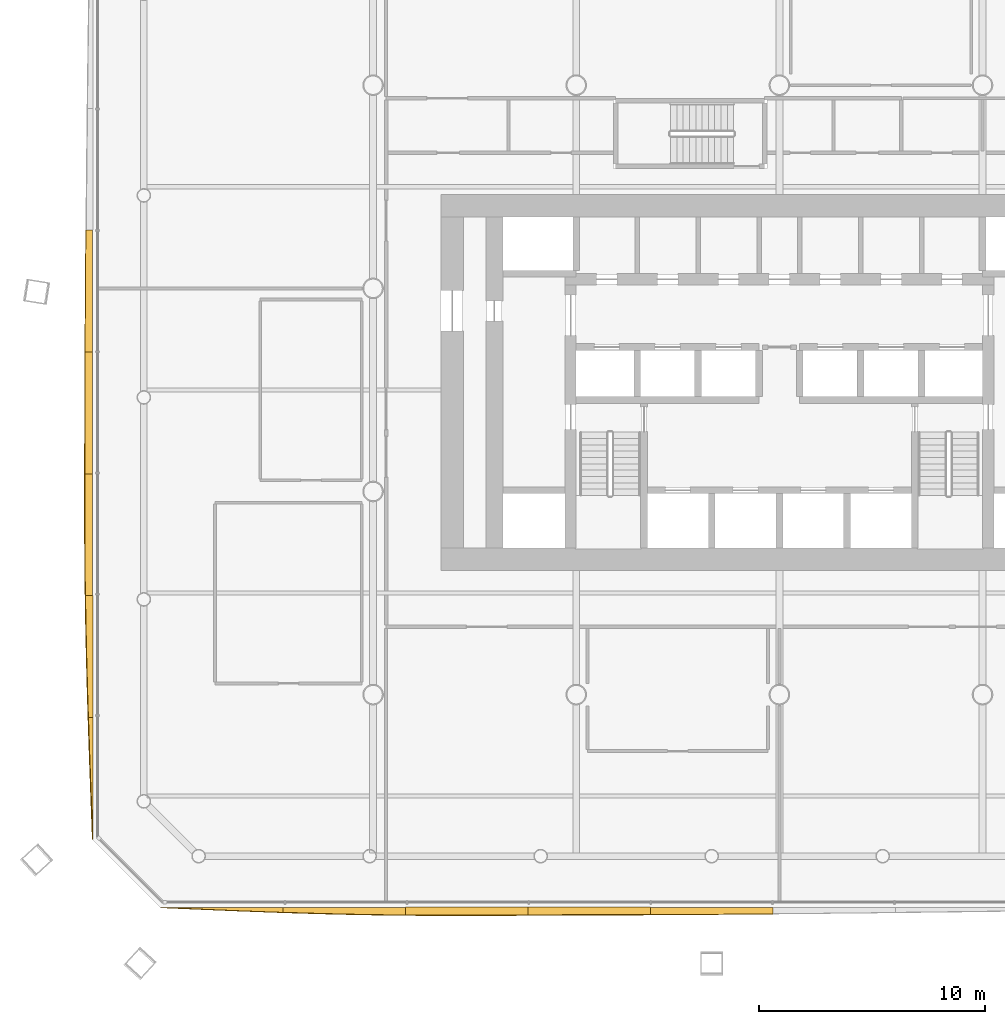
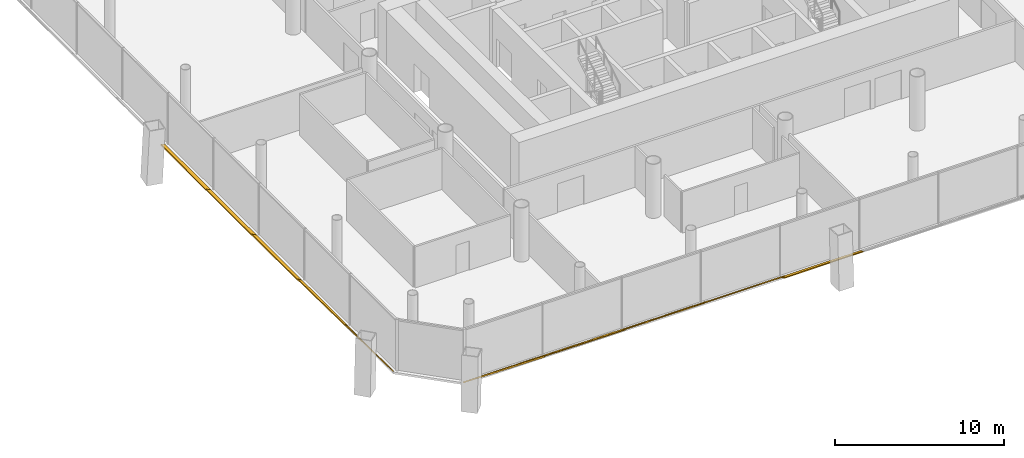
# One storey, part 18 of 22: 10 shading devices.
"""IFC4 building model written with IfcOpenShell, lengths in metres."""

import ifcopenshell
import ifcopenshell.guid

model = None  # the IFC model being written
_history = None  # IfcOwnerHistory: only IFC2X3 demands one
_inside = {}  # id of a spatial element -> (the spatial element, [elements in it])
_under = {}  # id of a project, library or spatial element -> (it, [spatial elements below it])
_declared = {}  # id of a project -> (the project, [libraries it declares])
_typed = {}  # id of a type object -> (the type object, [elements of that type])
_made_of = {}  # id of a material, layer set ... -> (it, [elements and type objects made of it])


def new_model(schema):
    """Start an empty IFC model of exactly this schema.

    Asked for "IFC4X3", IfcOpenShell would pick the latest addendum, in which some entities
    have other attributes; the version numbers below select the first issue.
    IFC2X3 requires an IfcOwnerHistory on every rooted entity: one is made here for all.
    """
    global model, _history
    if schema == "IFC4X3":
        model = ifcopenshell.file(schema_version=(4, 3, 0, 0))
    else:
        model = ifcopenshell.file(schema=schema)
    _inside.clear()
    _under.clear()
    _declared.clear()
    _typed.clear()
    _made_of.clear()
    _history = None
    if model.schema == "IFC2X3":
        org = make("IfcOrganization", Name="unknown")
        user = make(
            "IfcPersonAndOrganization",
            ThePerson=make("IfcPerson", FamilyName="unknown"),
            TheOrganization=org,
        )
        app = make(
            "IfcApplication",
            ApplicationDeveloper=org,
            Version="unknown",
            ApplicationFullName="unknown",
            ApplicationIdentifier="unknown",
        )
        _history = make(
            "IfcOwnerHistory",
            OwningUser=user,
            OwningApplication=app,
            ChangeAction="ADDED",
            CreationDate=0,
        )
    return model


def make(cls, **values):
    """One entity of the class cls with the attributes given. An attribute that is None is left unset."""
    return model.create_entity(
        cls, **{name: value for name, value in values.items() if value is not None}
    )


def rooted(cls, **values):
    """An entity with a GlobalId (a new one), such as an element, a storey or a relation."""
    return make(cls, GlobalId=ifcopenshell.guid.new(), OwnerHistory=_history, **values)


def si_unit(unit_type, name, prefix=None):
    """IfcSIUnit, for example si_unit("LENGTHUNIT", "METRE", prefix="MILLI")."""
    return make("IfcSIUnit", UnitType=unit_type, Prefix=prefix, Name=name)


def assignment(units):
    """IfcUnitAssignment: the units of a project."""
    return None if units is None else make("IfcUnitAssignment", Units=units)


def point(xyz):
    """IfcCartesianPoint."""
    return None if xyz is None else make("IfcCartesianPoint", Coordinates=xyz)


def direction(xyz):
    """IfcDirection."""
    return None if xyz is None else make("IfcDirection", DirectionRatios=xyz)


def frame(location, z_axis=None, x_axis=None):
    """IfcAxis2Placement3D, a coordinate frame: its origin and axes. An axis left out is left unset."""
    return make(
        "IfcAxis2Placement3D",
        Location=point(location),
        Axis=direction(z_axis),
        RefDirection=direction(x_axis),
    )


def origin():
    """The frame at (0, 0, 0) with its axes left unset."""
    return frame((0.0, 0.0, 0.0))


def place(relative_to, where):
    """IfcLocalPlacement: puts the frame where relative to a parent placement (None: the world)."""
    return make(
        "IfcLocalPlacement", PlacementRelTo=relative_to, RelativePlacement=where
    )


def context(
    kind, dimensions, precision=None, world=None, true_north=None, identifier=None
):
    """IfcGeometricRepresentationContext, for example the 3D "Model" context."""
    return make(
        "IfcGeometricRepresentationContext",
        ContextIdentifier=identifier,
        ContextType=kind,
        CoordinateSpaceDimension=dimensions,
        Precision=precision,
        WorldCoordinateSystem=world,
        TrueNorth=true_north,
    )


def subcontext(parent, identifier, kind, view, scale=None):
    """IfcGeometricRepresentationSubContext, for example "Body" below "Model"."""
    return make(
        "IfcGeometricRepresentationSubContext",
        ContextIdentifier=identifier,
        ContextType=kind,
        ParentContext=parent,
        TargetScale=scale,
        TargetView=view,
    )


def project(units=None, contexts=None):
    """IfcProject with its units and contexts."""
    return rooted(
        "IfcProject",
        Name="project",
        RepresentationContexts=contexts,
        UnitsInContext=assignment(units),
    )


def spatial(cls, under=None, at=None, **own):
    """A site, building, storey or space (cls), placed at a placement, below another one or the project."""
    s = rooted(cls, ObjectPlacement=at, **own)
    if under is not None:
        _under.setdefault(under.id(), (under, []))[1].append(s)
    return s


def polyline(points):
    """IfcPolyline through the points."""
    return make("IfcPolyline", Points=[point(p) for p in points])


def outline(outer, holes=None, kind="AREA"):
    """IfcArbitraryClosedProfileDef: a profile drawn as a closed curve; with holes, ...WithVoids."""
    if holes is None:
        return make("IfcArbitraryClosedProfileDef", ProfileType=kind, OuterCurve=outer)
    return make(
        "IfcArbitraryProfileDefWithVoids",
        ProfileType=kind,
        OuterCurve=outer,
        InnerCurves=holes,
    )


def extrude(swept, where, along, depth):
    """IfcExtrudedAreaSolid: the profile swept, set in the frame where, extruded along a direction by depth."""
    return make(
        "IfcExtrudedAreaSolid",
        SweptArea=swept,
        Position=where,
        ExtrudedDirection=direction(along),
        Depth=depth,
    )


def shape(context_of_items, identifier, shape_type, items):
    """IfcShapeRepresentation: the items that make up one representation, for example the "Body"."""
    return make(
        "IfcShapeRepresentation",
        ContextOfItems=context_of_items,
        RepresentationIdentifier=identifier,
        RepresentationType=shape_type,
        Items=items,
    )


def material(Name=None, Category=None):
    """IfcMaterial."""
    return make("IfcMaterial", Name=Name, Category=Category)


def layer(
    of_material, thickness, ventilated=None, Name=None, Category=None, Priority=None
):
    """IfcMaterialLayer: one layer of a wall or slab, of a material (None: an air gap)."""
    return make(
        "IfcMaterialLayer",
        Material=of_material,
        LayerThickness=thickness,
        IsVentilated=ventilated,
        Name=Name,
        Category=Category,
        Priority=Priority,
    )


def layer_set(layers, Name=None):
    """IfcMaterialLayerSet."""
    return make("IfcMaterialLayerSet", MaterialLayers=layers, LayerSetName=Name)


def made_of(thing, what):
    """Note that an element or type object is made of a material, layer set ...; save() writes the relation."""
    if what is not None:
        _made_of.setdefault(what.id(), (what, []))[1].append(thing)
    return thing


def type_object(cls, material=None, **own):
    """A type object (cls), such as IfcWallType, which elements share."""
    return made_of(rooted(cls, **own), material)


def element(
    cls,
    number,
    at=None,
    inside=None,
    cuts=None,
    type_object=None,
    material=None,
    context=None,
    identifier="Body",
    shape_type=None,
    held_by="IfcProductDefinitionShape",
    body=None,
    shapes=None,
    **own,
):
    """One element of the class cls, such as IfcWall. Its Tag is "e" and its number.

    at: its placement. inside: the storey or other place that contains it. cuts: it is an
    opening in that element (IfcRelVoidsElement). A single representation is given by context,
    identifier, shape_type and body (its items); several are given by shapes. held_by: the class
    of the entity that holds the representations. save() writes the other relations.
    """
    e = rooted(cls, Tag="e%d" % number, ObjectPlacement=at, **own)
    if body is not None:
        shapes = [shape(context, identifier, shape_type, body)]
    if shapes is not None:
        e.Representation = make(held_by, Representations=shapes)
    if inside is not None:
        _inside.setdefault(inside.id(), (inside, []))[1].append(e)
    if cuts is not None:
        rooted(
            "IfcRelVoidsElement", RelatingBuildingElement=cuts, RelatedOpeningElement=e
        )
    if type_object is not None:
        _typed.setdefault(type_object.id(), (type_object, []))[1].append(e)
    return made_of(e, material)


def aggregate(whole, parts):
    """IfcRelAggregates: a whole, such as a stair, and the parts it consists of."""
    return rooted("IfcRelAggregates", RelatingObject=whole, RelatedObjects=parts)


def save(model, path):
    """Write the relations noted so far, then the file.

    IfcRelAggregates (storeys below a building ...), IfcRelContainedInSpatialStructure (elements
    in a storey), IfcRelDefinesByType, IfcRelAssociatesMaterial and IfcRelDeclares: one each for
    every whole, place, type object, material and project.
    """
    for whole, parts in _under.values():
        aggregate(whole, parts)
    for where, things in _inside.values():
        rooted(
            "IfcRelContainedInSpatialStructure",
            RelatedElements=things,
            RelatingStructure=where,
        )
    for kind, things in _typed.values():
        rooted("IfcRelDefinesByType", RelatedObjects=things, RelatingType=kind)
    for what, things in _made_of.values():
        rooted("IfcRelAssociatesMaterial", RelatedObjects=things, RelatingMaterial=what)
    for by, libraries in _declared.values():
        rooted("IfcRelDeclares", RelatingContext=by, RelatedDefinitions=libraries)
    model.write(path)


model = new_model("IFC4")

# Units and contexts
model_context = context("Model", 3, precision=1e-05, world=origin(), true_north=direction((0.0, 1.0)))
body_context = subcontext(model_context, "Body", "Model", "MODEL_VIEW")
ifc_project = project(units=[si_unit("LENGTHUNIT", "METRE"), si_unit("AREAUNIT", "SQUARE_METRE"), si_unit("VOLUMEUNIT", "CUBIC_METRE"), si_unit("PLANEANGLEUNIT", "RADIAN"), si_unit("MASSUNIT", "GRAM", prefix="KILO")], contexts=[model_context])

# Site, building, storey
site_placement = place(None, origin())
site = spatial("IfcSite", under=ifc_project, at=site_placement, CompositionType="ELEMENT")
building_placement = place(site_placement, origin())
building = spatial("IfcBuilding", under=site, at=building_placement, Name="Tskaro Facet Tower", CompositionType="ELEMENT")
storey_placement = place(building_placement, frame((0.0, 0.0, 30.300048828125)))
storey = spatial("IfcBuildingStorey", under=building, at=storey_placement, Name="L06", CompositionType="ELEMENT", Elevation=30.300048828125)

# Shading devices
ifc_material = material(Name="Bronze anodised aluminium 6063-T6", Category="aluminium")
ifc_layer = layer(ifc_material, 0.06005859375, Name="Bronze anodised aluminium 6063-T6")
ifc_layer_set = layer_set([ifc_layer], Name="Bronze anodised aluminium 6063-T6")
shading_device_type = type_object("IfcShadingDeviceType", Name="Bronze sun blade (FN1)", PredefinedType="USERDEFINED", material=ifc_layer_set)
shading_device_1_placement = place(storey_placement, frame((-27.408935546875, -27.4267578125, 0.054443359375), z_axis=(-1.7369664e-05, 0.422198746085, 0.906503292053), x_axis=(0.999999999849, 7.333451e-06, 1.5745658e-05)))
element("IfcShadingDevice", 1, at=shading_device_1_placement, inside=storey, type_object=shading_device_type, Name="Fin blade south 1", ObjectType="FIN", PredefinedType="USERDEFINED", context=body_context, shape_type="SweptSolid", body=[
    extrude(outline(polyline([(0.0, 0.0), (5.424072264806764, 4.594367917272654e-21), (5.424072266470868, -0.2432417346132209), (4.746093749575557, -0.21681144531697708), (4.068115233943902, -0.18906843288761682), (3.3901367175221417, -0.15968830717906138), (2.7121582023640376, -0.12899545833738948), (2.0339355463176023, -0.09775690506931922), (1.3559570303693935, -0.06542694294845217), (0.6779785162115776, -0.03287566654726543), (0.0, 0.0)])), origin(), (0.0, 0.0, -1.0), 0.06005859375),
])
shading_device_2_placement = place(storey_placement, frame((-21.98486328125, -27.422119140625, 0.052001953125), z_axis=(5.406961e-06, 0.499928660059, 0.866066587984), x_axis=(0.999999999985, -2.703095e-06, -4.682789e-06)))
element("IfcShadingDevice", 2, at=shading_device_2_placement, inside=storey, type_object=shading_device_type, Name="Fin blade south 2", ObjectType="FIN", PredefinedType="USERDEFINED", context=body_context, shape_type="SweptSolid", body=[
    extrude(outline(polyline([(0.0, 0.0), (5.42431640617071, 0.0), (5.424316406633612, -0.3937591609972858), (4.746337890172542, -0.3856744955644328), (4.068359375114931, -0.37462103948206027), (3.390136718549267, -0.3608428985412164), (2.7121582028687983, -0.34421801984637707), (2.0341796876251426, -0.32529134036923657), (1.356201172158364, -0.3038514180717099), (0.6782226559851385, -0.28023174788740607), (2.8366442022315976e-10, -0.2545217189588862), (0.0, 0.0)])), origin(), (0.0, 0.0, -1.0), 0.06005859375),
])
shading_device_3_placement = place(storey_placement, frame((-16.560546875, -27.41748046875, 0.049072265625), z_axis=(-1.9963441e-05, 0.573469616832, 0.8192268295), x_axis=(0.999999999801, 1.1448427e-05, 1.6354586e-05)))
element("IfcShadingDevice", 3, at=shading_device_3_placement, inside=storey, type_object=shading_device_type, Name="Fin blade south 3", ObjectType="FIN", PredefinedType="USERDEFINED", context=body_context, shape_type="SweptSolid", body=[
    extrude(outline(polyline([(0.0, 0.0), (5.424316405169099, 0.0), (5.424316407091304, -0.4187763180545606), (4.746093747382546, -0.42073639282883446), (4.0681152338887925, -0.42229645450268677), (3.390136719197246, -0.42351650239562877), (2.712158202110113, -0.42405652272674993), (2.03417968502298, -0.42459654305787103), (1.5512695328620283, -0.4247365502885707), (1.355957028908129, -0.42459654305787103), (0.6779785186093695, -0.42209644795247603), (-2.469525773211345e-09, -0.4165362288188874), (0.0, 0.0)])), origin(), (0.0, 0.0, -1.0), 0.06005859375),
])
shading_device_4_placement = place(storey_placement, frame((-11.13623046875, -27.413330078125, 0.0458984375), z_axis=(0.0, 0.642717223712, 0.766103498455), x_axis=(1.0, 0.0, 0.0)))
element("IfcShadingDevice", 4, at=shading_device_4_placement, inside=storey, type_object=shading_device_type, Name="Fin blade south 4", ObjectType="FIN", PredefinedType="USERDEFINED", context=body_context, shape_type="SweptSolid", body=[
    extrude(outline(polyline([(0.0, 0.0), (5.424072265625, 0.0), (5.424072265625, -0.41815416339818645), (4.74609375, -0.4231866291900627), (4.068115234375, -0.42768810762338894), (3.39013671875, -0.43203267267201995), (2.7119140625, -0.43600316374679626), (2.033935546875, -0.43947279106525455), (1.35595703125, -0.44259846801209035), (0.677978515625, -0.4455371079719987), (0.0, -0.4477878471886618), (0.0, 0.0)])), origin(), (0.0, 0.0, -1.0), 0.06005859375),
])
shading_device_5_placement = place(storey_placement, frame((-5.712158203125, -27.431396484375, 0.056396484375), z_axis=(-6.50636e-07, 0.341804145636, 0.939771209405), x_axis=(1.0, 2.2239e-07, 6.11449e-07)))
element("IfcShadingDevice", 5, at=shading_device_5_placement, inside=storey, type_object=shading_device_type, Name="Fin blade south 5", ObjectType="FIN", PredefinedType="USERDEFINED", context=body_context, shape_type="SweptSolid", body=[
    extrude(outline(polyline([(0.0, 0.0), (5.4243164062488525, -1.43580459763306e-22), (5.424316406222681, -0.29796140281187666), (4.746337890583978, -0.3044483455720921), (4.068115234279586, -0.31039296739372224), (3.390136718803767, -0.31619160116267436), (2.712158203083684, -0.3215939020457192), (2.0341796875671743, -0.32685021487608606), (1.3562011719556801, -0.3317936430982887), (0.6779785156242006, -0.33642418671232716), (-2.7984354919682627e-11, -0.34082529399594447), (0.0, 0.0)])), origin(), (0.0, 0.0, -1.0), 0.06005859375),
])
shading_device_6_placement = place(storey_placement, frame((-30.431396484375, 2.579345703125, 0.056396484375), z_axis=(0.341661789029, -6.942219e-06, 0.939822973687), x_axis=(-2.371891e-06, -0.999999999976, -6.524457e-06)))
element("IfcShadingDevice", 6, at=shading_device_6_placement, inside=storey, type_object=shading_device_type, Name="Fin blade west 5", ObjectType="FIN", PredefinedType="USERDEFINED", context=body_context, shape_type="SweptSolid", body=[
    extrude(outline(polyline([(0.0, 0.0), (5.397705077994931, 0.0), (5.397705078074309, -0.35016983525108447), (4.7229003898688715, -0.3463110331146523), (4.048339842723162, -0.3419099195191243), (3.3735351565453437, -0.3374253924008823), (2.698730469209375, -0.3324819673462587), (2.0241699219193263, -0.3273090933234444), (1.3493652350180936, -0.3218233568097251), (0.6748046875837049, -0.31587872235962433), (-4.756780214503752e-10, -0.30993408790952354), (0.0, 0.0)])), origin(), (0.0, 0.0, -1.0), 0.06005859375),
])
shading_device_7_placement = place(storey_placement, frame((-30.4267578125, -2.818359375, 0.054443359375), z_axis=(0.42259542581, 8.994904e-06, 0.906318435211), x_axis=(3.801205e-06, -0.99999999996, 8.152247e-06)))
element("IfcShadingDevice", 7, at=shading_device_7_placement, inside=storey, type_object=shading_device_type, Name="Fin blade west 6", ObjectType="FIN", PredefinedType="USERDEFINED", context=body_context, shape_type="SweptSolid", body=[
    extrude(outline(polyline([(0.0, 0.0), (5.3977050779066404, -2.286017020366861e-21), (5.397705078609136, -0.3822812576938872), (4.722900390867961, -0.3811898356741984), (4.048339843617536, -0.3795527026446651), (3.373535156670152, -0.3776943004659015), (2.6987304686605, -0.3755114564265239), (2.0241699211416013, -0.37278290137730186), (1.3493652339257411, -0.3698330771788494), (0.6745605465756436, -0.36633754197055257), (-1.4946397609998524e-10, -0.36284200676225564), (0.0, 0.0)])), origin(), (0.0, 0.0, -1.0), 0.06005859375),
])
shading_device_8_placement = place(storey_placement, frame((-30.422119140625, -8.216064453125, 0.052001953125), z_axis=(0.499904399173, 8.52437e-06, 0.86608059187), x_axis=(4.26137e-06, -0.999999999964, 7.382792e-06)))
element("IfcShadingDevice", 8, at=shading_device_8_placement, inside=storey, type_object=shading_device_type, Name="Fin blade west 7", ObjectType="FIN", PredefinedType="USERDEFINED", context=body_context, shape_type="SweptSolid", body=[
    extrude(outline(polyline([(0.0, 0.0), (5.397705077928888, -2.286017020366861e-21), (5.397705078651172, -0.3710179204903123), (4.722900390533093, -0.3814043888212177), (4.048095703528245, -0.38961110560622936), (3.3735351554188076, -0.39572746932989583), (2.69873046779761, -0.39966408150766863), (2.024169921914634, -0.4014209421395477), (1.813476562547289, -0.4014209421395477), (1.3493652344391514, -0.4014209421395477), (0.6745605472419764, -0.4008760042530743), (-9.22731548853042e-11, -0.39999757393713475), (0.0, 0.0)])), origin(), (0.0, 0.0, -1.0), 0.06005859375),
])
shading_device_9_placement = place(storey_placement, frame((-30.41748046875, -13.61376953125, 0.049072265625), z_axis=(0.573430706743, -5.048945e-06, 0.819254065928), x_axis=(-2.89522e-06, -0.999999999987, -4.136369e-06)))
element("IfcShadingDevice", 9, at=shading_device_9_placement, inside=storey, type_object=shading_device_type, Name="Fin blade west 8", ObjectType="FIN", PredefinedType="USERDEFINED", context=body_context, shape_type="SweptSolid", body=[
    extrude(outline(polyline([(0.0, 0.0), (5.397460937431204, 0.0), (5.3974609374861116, -0.2363092081384779), (4.722900391119698, -0.2615701962495602), (4.048095702613795, -0.2855511228999025), (3.3735351562479625, -0.3078319948960845), (2.6987304687524962, -0.32869280770038645), (2.023925781358422, -0.34745353945114416), (1.3493652343877223, -0.36445420107918974), (0.6745605465904032, -0.37969479258452316), (-1.7751184138161255e-10, -0.3924952921054804), (0.0, 0.0)])), origin(), (0.0, 0.0, -1.0), 0.06005859375),
])
shading_device_10_placement = place(storey_placement, frame((-30.413330078125, -19.01123046875, 0.0458984375), z_axis=(0.642570056471, 8.4902e-08, 0.766226939312), x_axis=(5.4555e-08, -1.0, 6.5054e-08)))
element("IfcShadingDevice", 10, at=shading_device_10_placement, inside=storey, type_object=shading_device_type, Name="Fin blade west 9", ObjectType="FIN", PredefinedType="USERDEFINED", context=body_context, shape_type="SweptSolid", body=[
    extrude(outline(polyline([(0.0, 0.0), (5.3977050781249805, 0.0), (4.7231445312491145, -0.03344726406180866), (4.048339843748249, -0.06689452812361732), (3.3735351562422573, -0.09965390302732899), (2.6989746093720206, -0.1318822662281368), (2.024169921874222, -0.16376668484989615), (1.3496093750070521, -0.19443220261065464), (0.6748046875071931, -0.22406588663426763), (-3.552803209785979e-13, -0.25266773692073513), (0.0, 0.0)])), origin(), (0.0, 0.0, -1.0), 0.06005859375),
])

save(model, "model.ifc")
